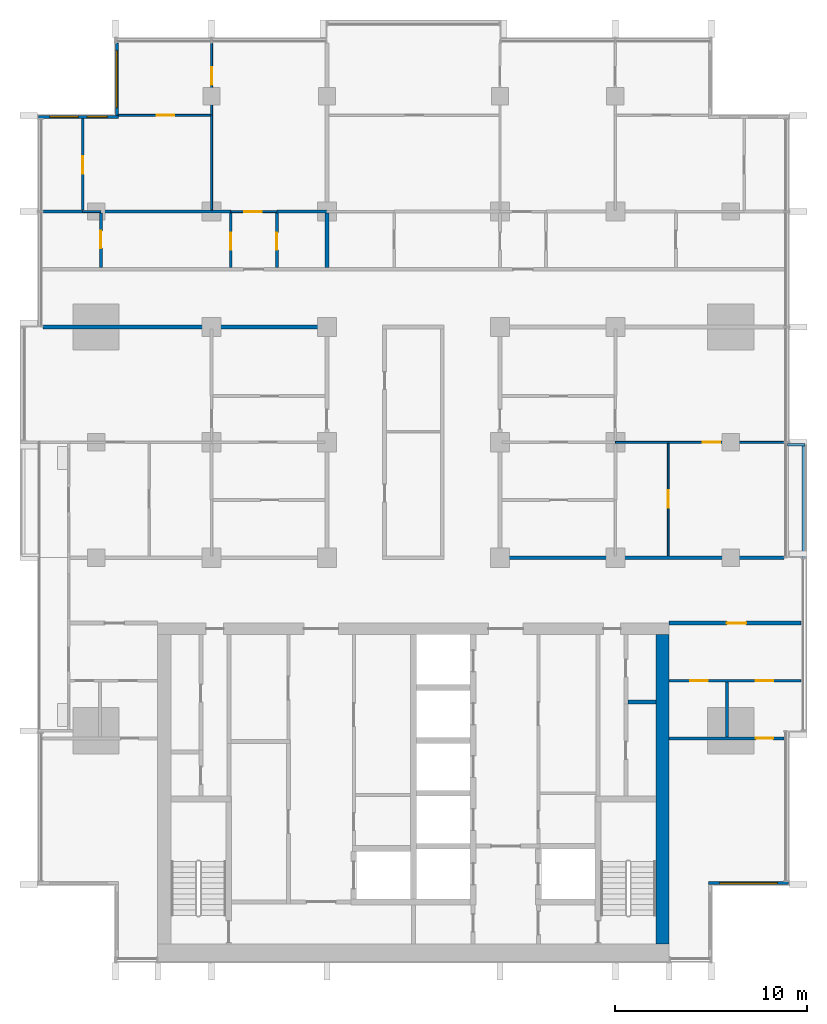
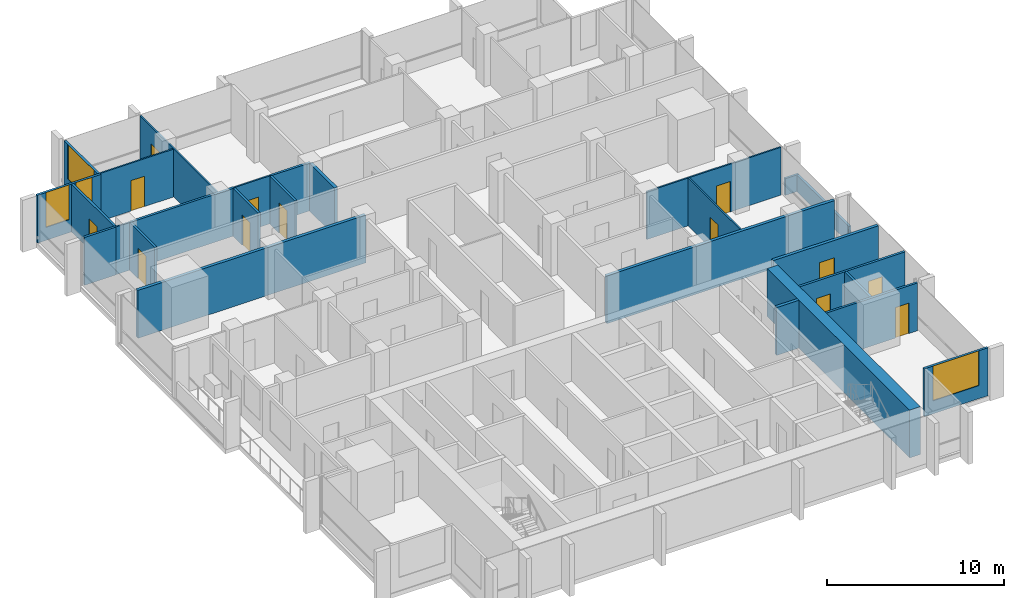
# One storey, part 10 of 17: 27 walls, 13 doors, 4 windows, 17 openings.
"""IFC4 building model written with IfcOpenShell, lengths in metres."""

from ifc_helpers import new_model, si_unit, direction, frame, frame_2d, origin, place, context, subcontext, project, spatial, rectangle, extrude, material, layer, layer_set, type_object, element, fill, save


model = new_model("IFC4")

# Units and contexts
model_context = context("Model", 3, precision=1e-05, world=origin(), true_north=direction((0.0, 1.0)))
body_context = subcontext(model_context, "Body", "Model", "MODEL_VIEW")
ifc_project = project(units=[si_unit("LENGTHUNIT", "METRE"), si_unit("AREAUNIT", "SQUARE_METRE"), si_unit("VOLUMEUNIT", "CUBIC_METRE"), si_unit("PLANEANGLEUNIT", "RADIAN"), si_unit("MASSUNIT", "GRAM", prefix="KILO")], contexts=[model_context])

# Site, building, storey
site_placement = place(None, origin())
site = spatial("IfcSite", under=ifc_project, at=site_placement, CompositionType="ELEMENT")
building_placement = place(site_placement, origin())
building = spatial("IfcBuilding", under=site, at=building_placement, Name="Finial Court Residences", CompositionType="ELEMENT")
storey_placement = place(building_placement, frame((0.0, 0.0, 174.5)))
storey = spatial("IfcBuildingStorey", under=building, at=storey_placement, Name="L43", CompositionType="ELEMENT", Elevation=174.5)

# Walls
ifc_material_1 = material(Name="Gypsum board")
ifc_layer_1 = layer(ifc_material_1, 0.02490234375)
ifc_material_2 = material(Name="Acoustic mineral wool in double frame")
ifc_layer_2 = layer(ifc_material_2, 0.14990234375)
ifc_layer_3 = layer(ifc_material_1, 0.02490234375)
ifc_layer_set_1 = layer_set([ifc_layer_1, ifc_layer_2, ifc_layer_3], Name="Acoustic party wall 200, 1 hour")
wall_type_1 = type_object("IfcWallType", Name="Acoustic party wall 200, 1 hour", PredefinedType="PARTITIONING", material=ifc_layer_set_1)
wall_1_placement = place(storey_placement, frame((-4.5, 10.60009765625, 0.0), z_axis=(0.0, 0.0, 1.0), x_axis=(0.0, 1.0, 0.0)))
element("IfcWall", 1, at=wall_1_placement, inside=storey, type_object=wall_type_1, Name="Partition L43-048", PredefinedType="PARTITIONING", context=body_context, shape_type="SweptSolid", body=[
    extrude(rectangle(XDim=2.824951171875, YDim=0.199951171875, at=frame_2d((1.41259765625, 0.0))), origin(), (0.0, 0.0, 1.0), 3.300048828125),
])
ifc_material_3 = material(Name="Concrete C70/85", Category="concrete")
ifc_layer_4 = layer(ifc_material_3, 0.699951171875)
ifc_layer_set_2 = layer_set([ifc_layer_4], Name="Core outer wall 700 Concrete C70/85")
wall_type_2 = type_object("IfcWallType", Name="Core outer wall 700 Concrete C70/85", PredefinedType="SHEAR", material=ifc_layer_set_2)
wall_2_placement = place(storey_placement, frame((12.949951171875, -24.60009765625, 0.0), z_axis=(0.0, 0.0, 1.0), x_axis=(0.0, 1.0, 0.0)))
element("IfcWall", 2, at=wall_2_placement, inside=storey, type_object=wall_type_2, Name="Core outer wall L43-04", PredefinedType="SHEAR", context=body_context, shape_type="SweptSolid", body=[
    extrude(rectangle(XDim=16.10009765625, YDim=0.699951171875, at=frame_2d((8.050048828125, 0.0))), origin(), (0.0, 0.0, 1.0), 3.300048828125),
])

# Wall, opening, door
ifc_layer_5 = layer(ifc_material_1, 0.02490234375)
ifc_layer_6 = layer(ifc_material_2, 0.14990234375)
ifc_layer_7 = layer(ifc_material_1, 0.02490234375)
ifc_layer_set_3 = layer_set([ifc_layer_5, ifc_layer_6, ifc_layer_7], Name="Corridor wall 200, 1 hour")
wall_type_3 = type_object("IfcWallType", Name="Corridor wall 200, 1 hour", PredefinedType="PARTITIONING", material=ifc_layer_set_3)
wall_3_placement = place(storey_placement, frame((13.300048828125, -7.89990234375, 0.0), z_axis=(0.0, 0.0, 1.0), x_axis=(1.0, 0.0, 0.0)))
wall_3 = element("IfcWall", 3, at=wall_3_placement, inside=storey, type_object=wall_type_3, Name="Partition L43-005", PredefinedType="PARTITIONING", context=body_context, shape_type="SweptSolid", body=[
    extrude(rectangle(XDim=6.862548828125, YDim=0.199951171875, at=frame_2d((3.43115234375, 0.0))), origin(), (0.0, 0.0, 1.0), 3.300048828125),
])
opening_1_placement = place(wall_3_placement, frame((3.0, 0.0, 0.0)))
opening_1 = element("IfcOpeningElement", 4, at=opening_1_placement, cuts=wall_3, Name="Opening L43-D008", PredefinedType="OPENING", context=body_context, shape_type="SweptSolid", body=[
    extrude(rectangle(XDim=1.0, YDim=2.10009765625, at=frame_2d((0.5, 1.050048828125))), frame((0.0, 0.10986328125, 0.0), z_axis=(0.0, -1.0, 0.0), x_axis=(1.0, 0.0, 0.0)), (0.0, 0.0, 1.0), 0.219970703125),
])
ifc_material_4 = material(Name="Timber door leaf in hollow metal frame", Category="wood")
door_type_1 = type_object("IfcDoorType", Name="Fire door set 1000 x 2100, 30 minutes", OperationType="SINGLE_SWING_LEFT", PredefinedType="DOOR", material=ifc_material_4)
door_1_placement = place(opening_1_placement, origin())
door_1 = element("IfcDoor", 5, at=door_1_placement, inside=storey, type_object=door_type_1, Name="Door L43-D008", OperationType="SINGLE_SWING_RIGHT", OverallHeight=2.10009765625, OverallWidth=1.0, PredefinedType="DOOR", context=body_context, shape_type="SweptSolid", body=[
    extrude(rectangle(XDim=1.0, YDim=2.10009765625, at=frame_2d((0.5, 1.050048828125))), frame((0.0, 0.02490234375, 0.0), z_axis=(0.0, -1.0, 0.0), x_axis=(1.0, 0.0, 0.0)), (0.0, 0.0, 1.0), 0.050048828125),
])
fill(opening_1, door_1)

# Walls
for number, where, z_axis, x_axis, name in (
    (6, (4.39990234375, -4.5, 0.0), (0.0, 0.0, 1.0), (1.0, 0.0, 0.0), "Partition L43-008"),
    (7, (-19.262451171875, 7.5, 0.0), (0.0, 0.0, 1.0), (1.0, 0.0, 0.0), "Partition L43-018"),
):
    element("IfcWall", number, at=place(storey_placement, frame(where, z_axis=z_axis, x_axis=x_axis)), inside=storey, type_object=wall_type_3, Name=name, PredefinedType="PARTITIONING", context=body_context, shape_type="SweptSolid", body=[
        extrude(rectangle(XDim=14.862548828125, YDim=0.199951171875, at=frame_2d((7.43115234375, 0.0))), origin(), (0.0, 0.0, 1.0), 3.300048828125),
    ])

# Wall, opening, door
ifc_layer_8 = layer(ifc_material_1, 0.012451171875)
ifc_material_5 = material(Name="Mineral wool in light-gauge frame")
ifc_layer_9 = layer(ifc_material_5, 0.074951171875)
ifc_layer_10 = layer(ifc_material_1, 0.012451171875)
ifc_layer_set_4 = layer_set([ifc_layer_8, ifc_layer_9, ifc_layer_10], Name="Gypsum board partition 100")
wall_type_4 = type_object("IfcWallType", Name="Gypsum board partition 100", PredefinedType="PARTITIONING", material=ifc_layer_set_4)
wall_4_placement = place(storey_placement, frame((10.5, 1.5, 0.0), z_axis=(0.0, 0.0, 1.0), x_axis=(1.0, 0.0, 0.0)))
wall_4 = element("IfcWall", 8, at=wall_4_placement, inside=storey, type_object=wall_type_4, Name="Partition L43-012", PredefinedType="PARTITIONING", context=body_context, shape_type="SweptSolid", body=[
    extrude(rectangle(XDim=8.762451171875, YDim=0.10009765625, at=frame_2d((4.38134765625, 0.0))), origin(), (0.0, 0.0, 1.0), 3.300048828125),
])
opening_2_placement = place(wall_4_placement, frame((4.550048828125, 0.0, 0.0)))
opening_2 = element("IfcOpeningElement", 9, at=opening_2_placement, cuts=wall_4, Name="Opening L43-D012", PredefinedType="OPENING", context=body_context, shape_type="SweptSolid", body=[
    extrude(rectangle(XDim=0.89990234375, YDim=2.10009765625, at=frame_2d((0.449951171875, 1.050048828125))), frame((0.0, 0.06005859375, 0.0), z_axis=(0.0, -1.0, 0.0), x_axis=(1.0, 0.0, 0.0)), (0.0, 0.0, 1.0), 0.1201171875),
])
ifc_material_6 = material(Name="Timber door leaf in timber frame", Category="wood")
door_type_2 = type_object("IfcDoorType", Name="Door set 900 x 2100", OperationType="SINGLE_SWING_LEFT", PredefinedType="DOOR", material=ifc_material_6)
door_2_placement = place(opening_2_placement, origin())
door_2 = element("IfcDoor", 10, at=door_2_placement, inside=storey, type_object=door_type_2, Name="Door L43-D012", OperationType="SINGLE_SWING_RIGHT", OverallHeight=2.10009765625, OverallWidth=0.89990234375, PredefinedType="DOOR", context=body_context, shape_type="SweptSolid", body=[
    extrude(rectangle(XDim=0.89990234375, YDim=2.10009765625, at=frame_2d((0.449951171875, 1.050048828125))), frame((0.0, 0.02490234375, 0.0), z_axis=(0.0, -1.0, 0.0), x_axis=(1.0, 0.0, 0.0)), (0.0, 0.0, 1.0), 0.050048828125),
])
fill(opening_2, door_2)

# Wall
wall_5_placement = place(storey_placement, frame((-17.199951171875, 13.5, 0.0), z_axis=(0.0, 0.0, 1.0), x_axis=(1.0, 0.0, 0.0)))
element("IfcWall", 11, at=wall_5_placement, inside=storey, type_object=wall_type_4, Name="Partition L43-022", PredefinedType="PARTITIONING", context=body_context, shape_type="SweptSolid", body=[
    extrude(rectangle(XDim=0.949951171875, YDim=0.10009765625, at=frame_2d((0.47509765625, 0.0))), origin(), (0.0, 0.0, 1.0), 3.300048828125),
])

# Wall, opening, door
wall_6_placement = place(storey_placement, frame((-9.5, 13.5, 0.0), z_axis=(0.0, 0.0, 1.0), x_axis=(1.0, 0.0, 0.0)))
wall_6 = element("IfcWall", 12, at=wall_6_placement, inside=storey, type_object=wall_type_4, Name="Partition L43-023", PredefinedType="PARTITIONING", context=body_context, shape_type="SweptSolid", body=[
    extrude(rectangle(XDim=2.39990234375, YDim=0.10009765625, at=frame_2d((1.199951171875, 0.0))), origin(), (0.0, 0.0, 1.0), 3.300048828125),
])
opening_3_placement = place(wall_6_placement, frame((0.699951171875, 0.0, 0.0)))
opening_3 = element("IfcOpeningElement", 13, at=opening_3_placement, cuts=wall_6, Name="Opening L43-D019", PredefinedType="OPENING", context=body_context, shape_type="SweptSolid", body=[
    extrude(rectangle(XDim=0.89990234375, YDim=2.10009765625, at=frame_2d((0.449951171875, 1.050048828125))), frame((0.0, 0.06005859375, 0.0), z_axis=(0.0, -1.0, 0.0), x_axis=(1.0, 0.0, 0.0)), (0.0, 0.0, 1.0), 0.1201171875),
])
door_3_placement = place(opening_3_placement, origin())
door_3 = element("IfcDoor", 14, at=door_3_placement, inside=storey, type_object=door_type_2, Name="Door L43-D019", OperationType="SINGLE_SWING_RIGHT", OverallHeight=2.10009765625, OverallWidth=0.89990234375, PredefinedType="DOOR", context=body_context, shape_type="SweptSolid", body=[
    extrude(rectangle(XDim=0.89990234375, YDim=2.10009765625, at=frame_2d((0.449951171875, 1.050048828125))), frame((0.0, 0.02490234375, 0.0), z_axis=(0.0, -1.0, 0.0), x_axis=(1.0, 0.0, 0.0)), (0.0, 0.0, 1.0), 0.050048828125),
])
fill(opening_3, door_3)

wall_7_placement = place(storey_placement, frame((-15.35009765625, 18.5, 0.0), z_axis=(0.0, 0.0, 1.0), x_axis=(1.0, 0.0, 0.0)))
wall_7 = element("IfcWall", 15, at=wall_7_placement, inside=storey, type_object=wall_type_4, Name="Partition L43-033", PredefinedType="PARTITIONING", context=body_context, shape_type="SweptSolid", body=[
    extrude(rectangle(XDim=4.800048828125, YDim=0.10009765625, at=frame_2d((2.39990234375, 0.0))), origin(), (0.0, 0.0, 1.0), 3.300048828125),
])
opening_4_placement = place(wall_7_placement, frame((2.0, 0.0, 0.0)))
opening_4 = element("IfcOpeningElement", 16, at=opening_4_placement, cuts=wall_7, Name="Opening L43-D021", PredefinedType="OPENING", context=body_context, shape_type="SweptSolid", body=[
    extrude(rectangle(XDim=0.89990234375, YDim=2.10009765625, at=frame_2d((0.449951171875, 1.050048828125))), frame((0.0, 0.06005859375, 0.0), z_axis=(0.0, -1.0, 0.0), x_axis=(1.0, 0.0, 0.0)), (0.0, 0.0, 1.0), 0.1201171875),
])
door_4_placement = place(opening_4_placement, origin())
door_4 = element("IfcDoor", 17, at=door_4_placement, inside=storey, type_object=door_type_2, Name="Door L43-D021", OperationType="SINGLE_SWING_LEFT", OverallHeight=2.10009765625, OverallWidth=0.89990234375, PredefinedType="DOOR", context=body_context, shape_type="SweptSolid", body=[
    extrude(rectangle(XDim=0.89990234375, YDim=2.10009765625, at=frame_2d((0.449951171875, 1.050048828125))), frame((0.0, 0.02490234375, 0.0), z_axis=(0.0, -1.0, 0.0), x_axis=(1.0, 0.0, 0.0)), (0.0, 0.0, 1.0), 0.050048828125),
])
fill(opening_4, door_4)

wall_8_placement = place(storey_placement, frame((-10.5, 13.574951171875, 0.0), z_axis=(0.0, 0.0, 1.0), x_axis=(0.0, 1.0, 0.0)))
wall_8 = element("IfcWall", 18, at=wall_8_placement, inside=storey, type_object=wall_type_4, Name="Partition L43-042", PredefinedType="PARTITIONING", context=body_context, shape_type="SweptSolid", body=[
    extrude(rectangle(XDim=8.6875, YDim=0.10009765625, at=frame_2d((4.34375, 0.0))), origin(), (0.0, 0.0, 1.0), 3.300048828125),
])
opening_5_placement = place(wall_8_placement, frame((6.52490234375, 0.0, 0.0)))
opening_5 = element("IfcOpeningElement", 19, at=opening_5_placement, cuts=wall_8, Name="Opening L43-D028", PredefinedType="OPENING", context=body_context, shape_type="SweptSolid", body=[
    extrude(rectangle(XDim=0.89990234375, YDim=2.10009765625, at=frame_2d((0.449951171875, 1.050048828125))), frame((0.0, 0.06005859375, 0.0), z_axis=(0.0, -1.0, 0.0), x_axis=(1.0, 0.0, 0.0)), (0.0, 0.0, 1.0), 0.1201171875),
])
door_5_placement = place(opening_5_placement, origin())
door_5 = element("IfcDoor", 20, at=door_5_placement, inside=storey, type_object=door_type_2, Name="Door L43-D028", OperationType="SINGLE_SWING_LEFT", OverallHeight=2.10009765625, OverallWidth=0.89990234375, PredefinedType="DOOR", context=body_context, shape_type="SweptSolid", body=[
    extrude(rectangle(XDim=0.89990234375, YDim=2.10009765625, at=frame_2d((0.449951171875, 1.050048828125))), frame((0.0, 0.02490234375, 0.0), z_axis=(0.0, -1.0, 0.0), x_axis=(1.0, 0.0, 0.0)), (0.0, 0.0, 1.0), 0.050048828125),
])
fill(opening_5, door_5)

wall_9_placement = place(storey_placement, frame((13.25, -4.39990234375, 0.0), z_axis=(0.0, 0.0, 1.0), x_axis=(0.0, 1.0, 0.0)))
wall_9 = element("IfcWall", 21, at=wall_9_placement, inside=storey, type_object=wall_type_4, Name="Partition L43-062", PredefinedType="PARTITIONING", context=body_context, shape_type="SweptSolid", body=[
    extrude(rectangle(XDim=5.849853515625, YDim=0.10009765625, at=frame_2d((2.9248046875, 0.0))), origin(), (0.0, 0.0, 1.0), 3.300048828125),
])
opening_6_placement = place(wall_9_placement, frame((2.5, 0.0, 0.0)))
opening_6 = element("IfcOpeningElement", 22, at=opening_6_placement, cuts=wall_9, Name="Opening L43-D041", PredefinedType="OPENING", context=body_context, shape_type="SweptSolid", body=[
    extrude(rectangle(XDim=0.89990234375, YDim=2.10009765625, at=frame_2d((0.449951171875, 1.050048828125))), frame((0.0, 0.06005859375, 0.0), z_axis=(0.0, -1.0, 0.0), x_axis=(1.0, 0.0, 0.0)), (0.0, 0.0, 1.0), 0.1201171875),
])
door_6_placement = place(opening_6_placement, origin())
door_6 = element("IfcDoor", 23, at=door_6_placement, inside=storey, type_object=door_type_2, Name="Door L43-D041", OperationType="SINGLE_SWING_LEFT", OverallHeight=2.10009765625, OverallWidth=0.89990234375, PredefinedType="DOOR", context=body_context, shape_type="SweptSolid", body=[
    extrude(rectangle(XDim=0.89990234375, YDim=2.10009765625, at=frame_2d((0.449951171875, 1.050048828125))), frame((0.0, 0.02490234375, 0.0), z_axis=(0.0, -1.0, 0.0), x_axis=(1.0, 0.0, 0.0)), (0.0, 0.0, 1.0), 0.050048828125),
])
fill(opening_6, door_6)

ifc_material_7 = material(Name="Moisture-resistant gypsum board")
ifc_layer_11 = layer(ifc_material_7, 0.012451171875)
ifc_layer_12 = layer(ifc_material_5, 0.125)
ifc_layer_13 = layer(ifc_material_7, 0.012451171875)
ifc_layer_set_5 = layer_set([ifc_layer_11, ifc_layer_12, ifc_layer_13], Name="Gypsum board wet-area partition 150")
wall_type_5 = type_object("IfcWallType", Name="Gypsum board wet-area partition 150", PredefinedType="PARTITIONING", material=ifc_layer_set_5)
wall_10_placement = place(storey_placement, frame((13.300048828125, -13.89990234375, 0.0), z_axis=(0.0, 0.0, 1.0), x_axis=(1.0, 0.0, 0.0)))
wall_10 = element("IfcWall", 24, at=wall_10_placement, inside=storey, type_object=wall_type_5, Name="Partition L43-001", PredefinedType="PARTITIONING", context=body_context, shape_type="SweptSolid", body=[
    extrude(rectangle(XDim=5.96240234375, YDim=0.14990234375, at=frame_2d((2.981201171875, 0.0))), origin(), (0.0, 0.0, 1.0), 3.300048828125),
])
opening_7_placement = place(wall_10_placement, frame((4.5, 0.0, 0.0)))
opening_7 = element("IfcOpeningElement", 25, at=opening_7_placement, cuts=wall_10, Name="Opening L43-D002", PredefinedType="OPENING", context=body_context, shape_type="SweptSolid", body=[
    extrude(rectangle(XDim=0.89990234375, YDim=2.10009765625, at=frame_2d((0.449951171875, 1.050048828125))), frame((0.0, 0.0849609375, 0.0), z_axis=(0.0, -1.0, 0.0), x_axis=(1.0, 0.0, 0.0)), (0.0, 0.0, 1.0), 0.169921875),
])
door_7_placement = place(opening_7_placement, origin())
door_7 = element("IfcDoor", 26, at=door_7_placement, inside=storey, type_object=door_type_2, Name="Door L43-D002", OperationType="SINGLE_SWING_RIGHT", OverallHeight=2.10009765625, OverallWidth=0.89990234375, PredefinedType="DOOR", context=body_context, shape_type="SweptSolid", body=[
    extrude(rectangle(XDim=0.89990234375, YDim=2.10009765625, at=frame_2d((0.449951171875, 1.050048828125))), frame((0.0, 0.02490234375, 0.0), z_axis=(0.0, -1.0, 0.0), x_axis=(1.0, 0.0, 0.0)), (0.0, 0.0, 1.0), 0.050048828125),
])
fill(opening_7, door_7)

# Wall, openings, doors
wall_11_placement = place(storey_placement, frame((13.300048828125, -10.89990234375, 0.0), z_axis=(0.0, 0.0, 1.0), x_axis=(1.0, 0.0, 0.0)))
wall_11 = element("IfcWall", 27, at=wall_11_placement, inside=storey, type_object=wall_type_5, Name="Partition L43-003", PredefinedType="PARTITIONING", context=body_context, shape_type="SweptSolid", body=[
    extrude(rectangle(XDim=6.862548828125, YDim=0.14990234375, at=frame_2d((3.43115234375, 0.0))), origin(), (0.0, 0.0, 1.0), 3.300048828125),
])
opening_8_placement = place(wall_11_placement, frame((1.10009765625, 0.0, 0.0)))
opening_8 = element("IfcOpeningElement", 28, at=opening_8_placement, cuts=wall_11, Name="Opening L43-D005", PredefinedType="OPENING", context=body_context, shape_type="SweptSolid", body=[
    extrude(rectangle(XDim=0.89990234375, YDim=2.10009765625, at=frame_2d((0.449951171875, 1.050048828125))), frame((0.0, 0.0849609375, 0.0), z_axis=(0.0, -1.0, 0.0), x_axis=(1.0, 0.0, 0.0)), (0.0, 0.0, 1.0), 0.169921875),
])
opening_9_placement = place(wall_11_placement, frame((4.5, 0.0, 0.0)))
opening_9 = element("IfcOpeningElement", 29, at=opening_9_placement, cuts=wall_11, Name="Opening L43-D006", PredefinedType="OPENING", context=body_context, shape_type="SweptSolid", body=[
    extrude(rectangle(XDim=0.89990234375, YDim=2.10009765625, at=frame_2d((0.449951171875, 1.050048828125))), frame((0.0, 0.0849609375, 0.0), z_axis=(0.0, -1.0, 0.0), x_axis=(1.0, 0.0, 0.0)), (0.0, 0.0, 1.0), 0.169921875),
])
door_8_placement = place(opening_8_placement, origin())
door_8 = element("IfcDoor", 30, at=door_8_placement, inside=storey, type_object=door_type_2, Name="Door L43-D005", OperationType="SINGLE_SWING_LEFT", OverallHeight=2.10009765625, OverallWidth=0.89990234375, PredefinedType="DOOR", context=body_context, shape_type="SweptSolid", body=[
    extrude(rectangle(XDim=0.89990234375, YDim=2.10009765625, at=frame_2d((0.449951171875, 1.050048828125))), frame((0.0, 0.02490234375, 0.0), z_axis=(0.0, -1.0, 0.0), x_axis=(1.0, 0.0, 0.0)), (0.0, 0.0, 1.0), 0.050048828125),
])
fill(opening_8, door_8)
door_9_placement = place(opening_9_placement, origin())
door_9 = element("IfcDoor", 31, at=door_9_placement, inside=storey, type_object=door_type_2, Name="Door L43-D006", OperationType="SINGLE_SWING_RIGHT", OverallHeight=2.10009765625, OverallWidth=0.89990234375, PredefinedType="DOOR", context=body_context, shape_type="SweptSolid", body=[
    extrude(rectangle(XDim=0.89990234375, YDim=2.10009765625, at=frame_2d((0.449951171875, 1.050048828125))), frame((0.0, 0.02490234375, 0.0), z_axis=(0.0, -1.0, 0.0), x_axis=(1.0, 0.0, 0.0)), (0.0, 0.0, 1.0), 0.050048828125),
])
fill(opening_9, door_9)

# Walls
wall_12_placement = place(storey_placement, frame((-19.262451171875, 13.5, 0.0), z_axis=(0.0, 0.0, 1.0), x_axis=(1.0, 0.0, 0.0)))
element("IfcWall", 32, at=wall_12_placement, inside=storey, type_object=wall_type_5, Name="Partition L43-027", PredefinedType="PARTITIONING", context=body_context, shape_type="SweptSolid", body=[
    extrude(rectangle(XDim=2.0625, YDim=0.14990234375, at=frame_2d((1.03125, 0.0))), origin(), (0.0, 0.0, 1.0), 3.300048828125),
])
wall_13_placement = place(storey_placement, frame((-16.25, 13.5, 0.0), z_axis=(0.0, 0.0, 1.0), x_axis=(1.0, 0.0, 0.0)))
element("IfcWall", 33, at=wall_13_placement, inside=storey, type_object=wall_type_5, Name="Partition L43-028", PredefinedType="PARTITIONING", context=body_context, shape_type="SweptSolid", body=[
    extrude(rectangle(XDim=6.75, YDim=0.14990234375, at=frame_2d((3.375, 0.0))), origin(), (0.0, 0.0, 1.0), 3.300048828125),
])
wall_14_placement = place(storey_placement, frame((-7.10009765625, 13.5, 0.0), z_axis=(0.0, 0.0, 1.0), x_axis=(1.0, 0.0, 0.0)))
element("IfcWall", 34, at=wall_14_placement, inside=storey, type_object=wall_type_5, Name="Partition L43-029", PredefinedType="PARTITIONING", context=body_context, shape_type="SweptSolid", body=[
    extrude(rectangle(XDim=2.60009765625, YDim=0.14990234375, at=frame_2d((1.300048828125, 0.0))), origin(), (0.0, 0.0, 1.0), 3.300048828125),
])

# Wall, opening, door
wall_15_placement = place(storey_placement, frame((-17.199951171875, 13.574951171875, 0.0), z_axis=(0.0, 0.0, 1.0), x_axis=(0.0, 1.0, 0.0)))
wall_15 = element("IfcWall", 35, at=wall_15_placement, inside=storey, type_object=wall_type_5, Name="Partition L43-036", PredefinedType="PARTITIONING", context=body_context, shape_type="SweptSolid", body=[
    extrude(rectangle(XDim=4.775146484375, YDim=0.14990234375, at=frame_2d((2.3876953125, 0.0))), origin(), (0.0, 0.0, 1.0), 3.300048828125),
])
opening_10_placement = place(wall_15_placement, frame((1.89990234375, 0.0, 0.0)))
opening_10 = element("IfcOpeningElement", 36, at=opening_10_placement, cuts=wall_15, Name="Opening L43-D024", PredefinedType="OPENING", context=body_context, shape_type="SweptSolid", body=[
    extrude(rectangle(XDim=0.89990234375, YDim=2.10009765625, at=frame_2d((0.449951171875, 1.050048828125))), frame((0.0, 0.0849609375, 0.0), z_axis=(0.0, -1.0, 0.0), x_axis=(1.0, 0.0, 0.0)), (0.0, 0.0, 1.0), 0.169921875),
])
door_10_placement = place(opening_10_placement, origin())
door_10 = element("IfcDoor", 37, at=door_10_placement, inside=storey, type_object=door_type_2, Name="Door L43-D024", OperationType="SINGLE_SWING_RIGHT", OverallHeight=2.10009765625, OverallWidth=0.89990234375, PredefinedType="DOOR", context=body_context, shape_type="SweptSolid", body=[
    extrude(rectangle(XDim=0.89990234375, YDim=2.10009765625, at=frame_2d((0.449951171875, 1.050048828125))), frame((0.0, 0.02490234375, 0.0), z_axis=(0.0, -1.0, 0.0), x_axis=(1.0, 0.0, 0.0)), (0.0, 0.0, 1.0), 0.050048828125),
])
fill(opening_10, door_10)

wall_16_placement = place(storey_placement, frame((-16.25, 10.60009765625, 0.0), z_axis=(0.0, 0.0, 1.0), x_axis=(0.0, 1.0, 0.0)))
wall_16 = element("IfcWall", 38, at=wall_16_placement, inside=storey, type_object=wall_type_5, Name="Partition L43-038", PredefinedType="PARTITIONING", context=body_context, shape_type="SweptSolid", body=[
    extrude(rectangle(XDim=2.824951171875, YDim=0.14990234375, at=frame_2d((1.41259765625, 0.0))), origin(), (0.0, 0.0, 1.0), 3.300048828125),
])
opening_11_placement = place(wall_16_placement, frame((1.0, 0.0, 0.0)))
opening_11 = element("IfcOpeningElement", 39, at=opening_11_placement, cuts=wall_16, Name="Opening L43-D025", PredefinedType="OPENING", context=body_context, shape_type="SweptSolid", body=[
    extrude(rectangle(XDim=0.89990234375, YDim=2.10009765625, at=frame_2d((0.449951171875, 1.050048828125))), frame((0.0, 0.0849609375, 0.0), z_axis=(0.0, -1.0, 0.0), x_axis=(1.0, 0.0, 0.0)), (0.0, 0.0, 1.0), 0.169921875),
])
door_11_placement = place(opening_11_placement, origin())
door_11 = element("IfcDoor", 40, at=door_11_placement, inside=storey, type_object=door_type_2, Name="Door L43-D025", OperationType="SINGLE_SWING_RIGHT", OverallHeight=2.10009765625, OverallWidth=0.89990234375, PredefinedType="DOOR", context=body_context, shape_type="SweptSolid", body=[
    extrude(rectangle(XDim=0.89990234375, YDim=2.10009765625, at=frame_2d((0.449951171875, 1.050048828125))), frame((0.0, 0.02490234375, 0.0), z_axis=(0.0, -1.0, 0.0), x_axis=(1.0, 0.0, 0.0)), (0.0, 0.0, 1.0), 0.050048828125),
])
fill(opening_11, door_11)

wall_17_placement = place(storey_placement, frame((-9.5, 10.60009765625, 0.0), z_axis=(0.0, 0.0, 1.0), x_axis=(0.0, 1.0, 0.0)))
wall_17 = element("IfcWall", 41, at=wall_17_placement, inside=storey, type_object=wall_type_5, Name="Partition L43-045", PredefinedType="PARTITIONING", context=body_context, shape_type="SweptSolid", body=[
    extrude(rectangle(XDim=2.824951171875, YDim=0.14990234375, at=frame_2d((1.41259765625, 0.0))), origin(), (0.0, 0.0, 1.0), 3.300048828125),
])
opening_12_placement = place(wall_17_placement, frame((0.89990234375, 0.0, 0.0)))
opening_12 = element("IfcOpeningElement", 42, at=opening_12_placement, cuts=wall_17, Name="Opening L43-D029", PredefinedType="OPENING", context=body_context, shape_type="SweptSolid", body=[
    extrude(rectangle(XDim=0.89990234375, YDim=2.10009765625, at=frame_2d((0.449951171875, 1.050048828125))), frame((0.0, 0.0849609375, 0.0), z_axis=(0.0, -1.0, 0.0), x_axis=(1.0, 0.0, 0.0)), (0.0, 0.0, 1.0), 0.169921875),
])
door_12_placement = place(opening_12_placement, origin())
door_12 = element("IfcDoor", 43, at=door_12_placement, inside=storey, type_object=door_type_2, Name="Door L43-D029", OperationType="SINGLE_SWING_LEFT", OverallHeight=2.10009765625, OverallWidth=0.89990234375, PredefinedType="DOOR", context=body_context, shape_type="SweptSolid", body=[
    extrude(rectangle(XDim=0.89990234375, YDim=2.10009765625, at=frame_2d((0.449951171875, 1.050048828125))), frame((0.0, 0.02490234375, 0.0), z_axis=(0.0, -1.0, 0.0), x_axis=(1.0, 0.0, 0.0)), (0.0, 0.0, 1.0), 0.050048828125),
])
fill(opening_12, door_12)

wall_18_placement = place(storey_placement, frame((-7.10009765625, 10.60009765625, 0.0), z_axis=(0.0, 0.0, 1.0), x_axis=(0.0, 1.0, 0.0)))
wall_18 = element("IfcWall", 44, at=wall_18_placement, inside=storey, type_object=wall_type_5, Name="Partition L43-046", PredefinedType="PARTITIONING", context=body_context, shape_type="SweptSolid", body=[
    extrude(rectangle(XDim=2.824951171875, YDim=0.14990234375, at=frame_2d((1.41259765625, 0.0))), origin(), (0.0, 0.0, 1.0), 3.300048828125),
])
opening_13_placement = place(wall_18_placement, frame((0.89990234375, 0.0, 0.0)))
opening_13 = element("IfcOpeningElement", 45, at=opening_13_placement, cuts=wall_18, Name="Opening L43-D030", PredefinedType="OPENING", context=body_context, shape_type="SweptSolid", body=[
    extrude(rectangle(XDim=0.89990234375, YDim=2.10009765625, at=frame_2d((0.449951171875, 1.050048828125))), frame((0.0, 0.0849609375, 0.0), z_axis=(0.0, -1.0, 0.0), x_axis=(1.0, 0.0, 0.0)), (0.0, 0.0, 1.0), 0.169921875),
])
door_13_placement = place(opening_13_placement, origin())
door_13 = element("IfcDoor", 46, at=door_13_placement, inside=storey, type_object=door_type_2, Name="Door L43-D030", OperationType="SINGLE_SWING_RIGHT", OverallHeight=2.10009765625, OverallWidth=0.89990234375, PredefinedType="DOOR", context=body_context, shape_type="SweptSolid", body=[
    extrude(rectangle(XDim=0.89990234375, YDim=2.10009765625, at=frame_2d((0.449951171875, 1.050048828125))), frame((0.0, 0.02490234375, 0.0), z_axis=(0.0, -1.0, 0.0), x_axis=(1.0, 0.0, 0.0)), (0.0, 0.0, 1.0), 0.050048828125),
])
fill(opening_13, door_13)

# Walls
wall_19_placement = place(storey_placement, frame((16.300048828125, -13.824951171875, 0.0), z_axis=(0.0, 0.0, 1.0), x_axis=(0.0, 1.0, 0.0)))
element("IfcWall", 47, at=wall_19_placement, inside=storey, type_object=wall_type_5, Name="Partition L43-064", PredefinedType="PARTITIONING", context=body_context, shape_type="SweptSolid", body=[
    extrude(rectangle(XDim=2.849853515625, YDim=0.14990234375, at=frame_2d((1.4248046875, 0.0))), origin(), (0.0, 0.0, 1.0), 3.300048828125),
])
ifc_material_8 = material(Name="Concrete C35/45", Category="concrete")
ifc_layer_14 = layer(ifc_material_8, 0.14990234375)
ifc_layer_set_6 = layer_set([ifc_layer_14], Name="Ledge parapet, Concrete C35/45 150")
wall_type_6 = type_object("IfcWallType", Name="Ledge parapet, Concrete C35/45 150", PredefinedType="PARAPET", material=ifc_layer_set_6)
wall_20_placement = place(storey_placement, frame((19.447509765625, 1.375, 0.0), z_axis=(0.0, 0.0, 1.0), x_axis=(1.0, 0.0, 0.0)))
element("IfcWall", 48, at=wall_20_placement, inside=storey, type_object=wall_type_6, Name="E-L43-LED1-P1", PredefinedType="PARAPET", context=body_context, shape_type="SweptSolid", body=[
    extrude(rectangle(XDim=0.902587890625, YDim=0.14990234375, at=frame_2d((0.451171875, 0.0))), origin(), (0.0, 0.0, 1.0), 1.14990234375),
])
wall_21_placement = place(storey_placement, frame((20.27490234375, 1.300048828125, 0.0), z_axis=(0.0, 0.0, 1.0), x_axis=(0.0, -1.0, 0.0)))
element("IfcWall", 49, at=wall_21_placement, inside=storey, type_object=wall_type_6, Name="E-L43-LED1-P2", PredefinedType="PARAPET", context=body_context, shape_type="SweptSolid", body=[
    extrude(rectangle(XDim=5.8525390625, YDim=0.14990234375, at=frame_2d((2.92626953125, 0.0))), origin(), (0.0, 0.0, 1.0), 1.14990234375),
])

# Wall, opening, window
ifc_material_9 = material(Name="Natural limestone", Category="masonry")
ifc_layer_15 = layer(ifc_material_9, 0.14990234375)
ifc_layer_set_7 = layer_set([ifc_layer_15], Name="Limestone clad wall 150")
wall_type_7 = type_object("IfcWallType", Name="Limestone clad wall 150", PredefinedType="SOLIDWALL", material=ifc_layer_set_7)
wall_22_placement = place(storey_placement, frame((19.5, -21.425048828125, 0.0), z_axis=(0.0, 0.0, 1.0), x_axis=(-1.0, 0.0, 0.0)))
wall_22 = element("IfcWall", 50, at=wall_22_placement, inside=storey, type_object=wall_type_7, Name="E-L43-NWS15", PredefinedType="SOLIDWALL", context=body_context, shape_type="SweptSolid", body=[
    extrude(rectangle(XDim=4.14990234375, YDim=0.14990234375, at=frame_2d((2.074951171875, 0.0))), origin(), (0.0, 0.0, 1.0), 3.300048828125),
])
opening_14_placement = place(wall_22_placement, frame((0.574951171875, 0.0, 0.89990234375)))
opening_14 = element("IfcOpeningElement", 51, at=opening_14_placement, cuts=wall_22, Name="Opening WE43-04", PredefinedType="OPENING", context=body_context, shape_type="SweptSolid", body=[
    extrude(rectangle(XDim=3.0, YDim=2.39990234375, at=frame_2d((1.5, 1.199951171875))), frame((0.0, 0.0849609375, 0.0), z_axis=(0.0, -1.0, 0.0), x_axis=(1.0, 0.0, 0.0)), (0.0, 0.0, 1.0), 0.169921875),
])
ifc_material_10 = material(Name="Clear low-e glass", Category="glass")
window_type_1 = type_object("IfcWindowType", Name="Corner window 3000 x 2400", PartitioningType="SINGLE_PANEL", PredefinedType="WINDOW", material=ifc_material_10)
window_1_placement = place(opening_14_placement, origin())
window_1 = element("IfcWindow", 52, at=window_1_placement, inside=storey, type_object=window_type_1, Name="E-L43-NWS15-W1", OverallHeight=2.39990234375, OverallWidth=3.0, PartitioningType="SINGLE_PANEL", PredefinedType="WINDOW", context=body_context, shape_type="SweptSolid", body=[
    extrude(rectangle(XDim=3.0, YDim=2.39990234375, at=frame_2d((1.5, 1.199951171875))), frame((0.0, 0.030029296875, 0.0), z_axis=(0.0, -1.0, 0.0), x_axis=(1.0, 0.0, 0.0)), (0.0, 0.0, 1.0), 0.06005859375),
])
fill(opening_14, window_1)

wall_23_placement = place(storey_placement, frame((-15.425048828125, 18.5, 0.0), z_axis=(0.0, 0.0, 1.0), x_axis=(0.0, 1.0, 0.0)))
wall_23 = element("IfcWall", 53, at=wall_23_placement, inside=storey, type_object=wall_type_7, Name="E-L43-NWW16", PredefinedType="SOLIDWALL", context=body_context, shape_type="SweptSolid", body=[
    extrude(rectangle(XDim=3.762451171875, YDim=0.14990234375, at=frame_2d((1.88134765625, 0.0))), origin(), (0.0, 0.0, 1.0), 3.300048828125),
])
opening_15_placement = place(wall_23_placement, frame((0.4013671875, 0.0, 0.89990234375)))
opening_15 = element("IfcOpeningElement", 54, at=opening_15_placement, cuts=wall_23, Name="Opening WE43-05", PredefinedType="OPENING", context=body_context, shape_type="SweptSolid", body=[
    extrude(rectangle(XDim=2.9599609375, YDim=2.39990234375, at=frame_2d((1.47998046875, 1.199951171875))), frame((0.0, 0.0849609375, 0.0), z_axis=(0.0, -1.0, 0.0), x_axis=(1.0, 0.0, 0.0)), (0.0, 0.0, 1.0), 0.169921875),
])
window_type_2 = type_object("IfcWindowType", Name="Corner window 2960 x 2400", PartitioningType="SINGLE_PANEL", PredefinedType="WINDOW", material=ifc_material_10)
window_2_placement = place(opening_15_placement, origin())
window_2 = element("IfcWindow", 55, at=window_2_placement, inside=storey, type_object=window_type_2, Name="E-L43-NWW16-W1", OverallHeight=2.39990234375, OverallWidth=2.9599609375, PartitioningType="SINGLE_PANEL", PredefinedType="WINDOW", context=body_context, shape_type="SweptSolid", body=[
    extrude(rectangle(XDim=2.9599609375, YDim=2.39990234375, at=frame_2d((1.47998046875, 1.199951171875))), frame((0.0, 0.030029296875, 0.0), z_axis=(0.0, -1.0, 0.0), x_axis=(1.0, 0.0, 0.0)), (0.0, 0.0, 1.0), 0.06005859375),
])
fill(opening_15, window_2)

# Wall, openings, windows
wall_24_placement = place(storey_placement, frame((-19.5, 18.425048828125, 0.0), z_axis=(0.0, 0.0, 1.0), x_axis=(1.0, 0.0, 0.0)))
wall_24 = element("IfcWall", 56, at=wall_24_placement, inside=storey, type_object=wall_type_7, Name="E-L43-NWN17", PredefinedType="SOLIDWALL", context=body_context, shape_type="SweptSolid", body=[
    extrude(rectangle(XDim=4.14990234375, YDim=0.14990234375, at=frame_2d((2.074951171875, 0.0))), origin(), (0.0, 0.0, 1.0), 3.300048828125),
])
opening_16_placement = place(wall_24_placement, frame((0.574951171875, 0.0, 0.89990234375)))
opening_16 = element("IfcOpeningElement", 57, at=opening_16_placement, cuts=wall_24, Name="Opening WE43-06", PredefinedType="OPENING", context=body_context, shape_type="SweptSolid", body=[
    extrude(rectangle(XDim=1.5, YDim=2.39990234375, at=frame_2d((0.75, 1.199951171875))), frame((0.0, 0.0849609375, 0.0), z_axis=(0.0, -1.0, 0.0), x_axis=(1.0, 0.0, 0.0)), (0.0, 0.0, 1.0), 0.169921875),
])
opening_17_placement = place(wall_24_placement, frame((2.52490234375, 0.0, 0.89990234375)))
opening_17 = element("IfcOpeningElement", 58, at=opening_17_placement, cuts=wall_24, Name="Opening WE43-07", PredefinedType="OPENING", context=body_context, shape_type="SweptSolid", body=[
    extrude(rectangle(XDim=1.050048828125, YDim=2.39990234375, at=frame_2d((0.52490234375, 1.199951171875))), frame((0.0, 0.0849609375, 0.0), z_axis=(0.0, -1.0, 0.0), x_axis=(1.0, 0.0, 0.0)), (0.0, 0.0, 1.0), 0.169921875),
])
window_type_3 = type_object("IfcWindowType", Name="Corner window 1050 x 2400", PartitioningType="SINGLE_PANEL", PredefinedType="WINDOW", material=ifc_material_10)
window_3_placement = place(opening_17_placement, origin())
window_3 = element("IfcWindow", 59, at=window_3_placement, inside=storey, type_object=window_type_3, Name="E-L43-NWN17-W2", OverallHeight=2.39990234375, OverallWidth=1.050048828125, PartitioningType="SINGLE_PANEL", PredefinedType="WINDOW", context=body_context, shape_type="SweptSolid", body=[
    extrude(rectangle(XDim=1.050048828125, YDim=2.39990234375, at=frame_2d((0.52490234375, 1.199951171875))), frame((0.0, 0.030029296875, 0.0), z_axis=(0.0, -1.0, 0.0), x_axis=(1.0, 0.0, 0.0)), (0.0, 0.0, 1.0), 0.06005859375),
])
fill(opening_17, window_3)
window_type_4 = type_object("IfcWindowType", Name="Corner window 1500 x 2400", PartitioningType="SINGLE_PANEL", PredefinedType="WINDOW", material=ifc_material_10)
window_4_placement = place(opening_16_placement, origin())
window_4 = element("IfcWindow", 60, at=window_4_placement, inside=storey, type_object=window_type_4, Name="E-L43-NWN17-W1", OverallHeight=2.39990234375, OverallWidth=1.5, PartitioningType="SINGLE_PANEL", PredefinedType="WINDOW", context=body_context, shape_type="SweptSolid", body=[
    extrude(rectangle(XDim=1.5, YDim=2.39990234375, at=frame_2d((0.75, 1.199951171875))), frame((0.0, 0.030029296875, 0.0), z_axis=(0.0, -1.0, 0.0), x_axis=(1.0, 0.0, 0.0)), (0.0, 0.0, 1.0), 0.06005859375),
])
fill(opening_16, window_4)

# Wall
ifc_material_11 = material(Name="Fire-rated gypsum board partition")
ifc_layer_16 = layer(ifc_material_11, 0.199951171875)
ifc_layer_set_8 = layer_set([ifc_layer_16], Name="Riser room wall 200 EI 120")
wall_type_8 = type_object("IfcWallType", Name="Riser room wall 200 EI 120", PredefinedType="PARTITIONING", material=ifc_layer_set_8)
wall_25_placement = place(storey_placement, frame((11.14990234375, -12.0, 0.0), z_axis=(0.0, 0.0, 1.0), x_axis=(1.0, 0.0, 0.0)))
element("IfcWall", 61, at=wall_25_placement, inside=storey, type_object=wall_type_8, Name="Core partition L43-17", PredefinedType="PARTITIONING", context=body_context, shape_type="SweptSolid", body=[
    extrude(rectangle(XDim=1.4501953125, YDim=0.199951171875, at=frame_2d((0.72509765625, 0.0))), origin(), (0.0, 0.0, 1.0), 3.300048828125),
])

save(model, "model.ifc")
